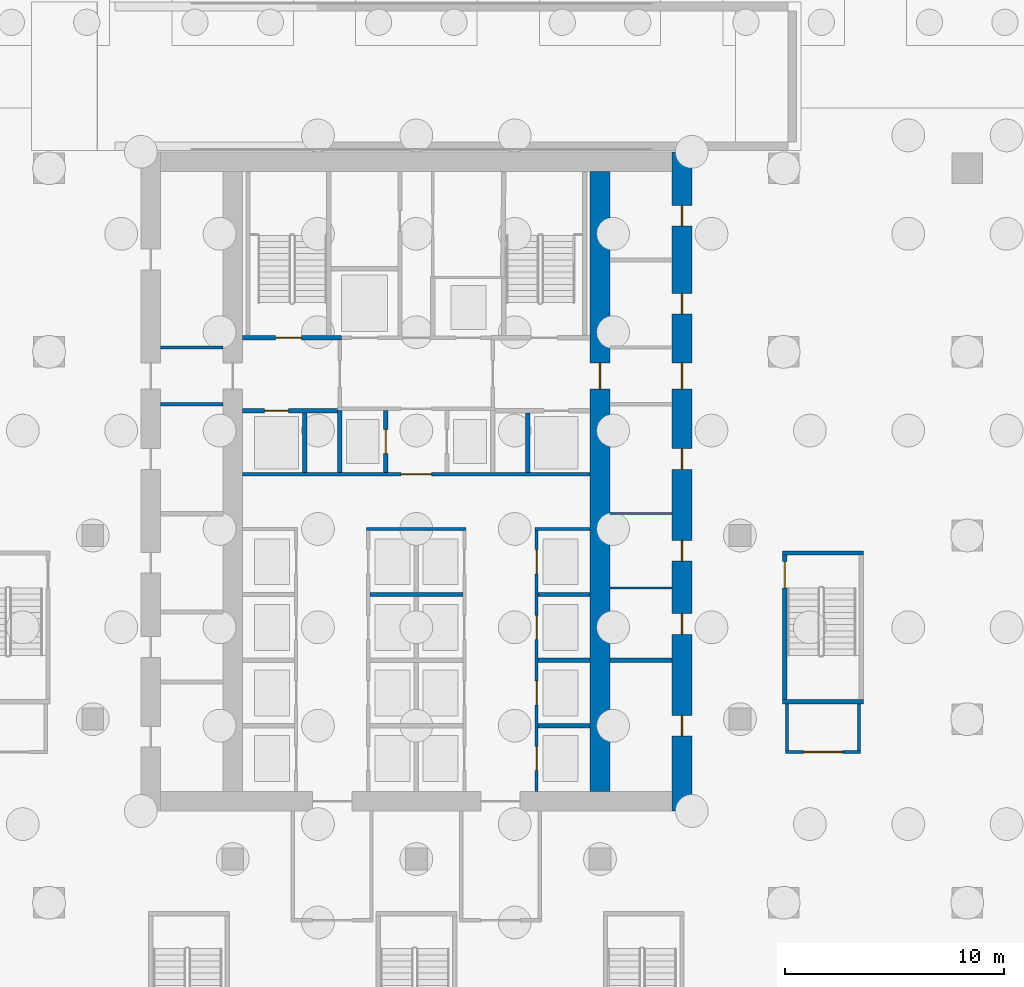
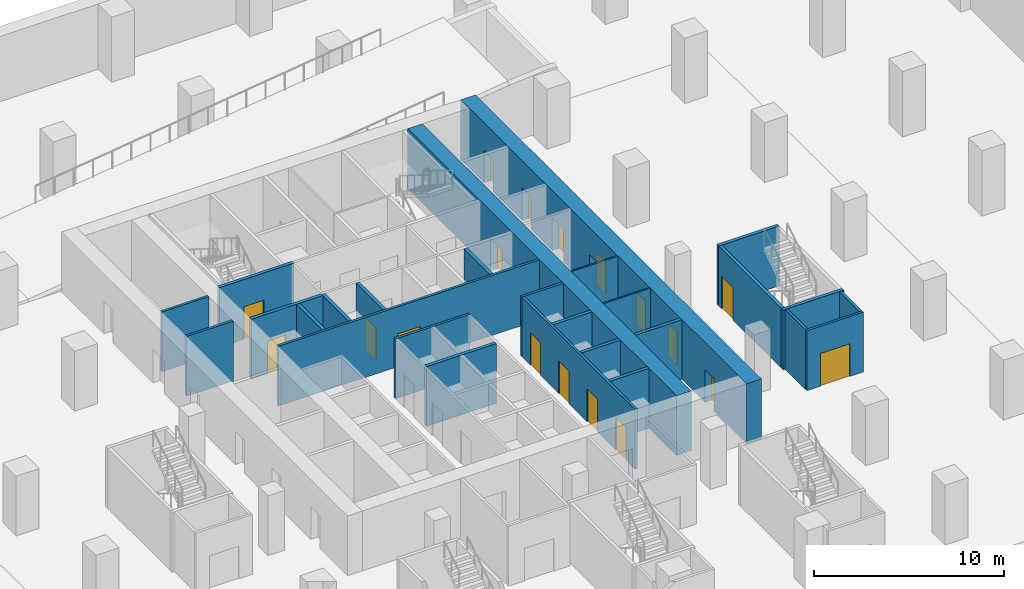
# One storey, part 11 of 22: 27 walls, 18 doors, 18 openings.
"""IFC4 building model written with IfcOpenShell, lengths in metres."""

from ifc_helpers import new_model, si_unit, direction, frame, frame_2d, origin, place, context, subcontext, project, spatial, rectangle, extrude, material, layer, layer_set, type_object, element, fill, save


model = new_model("IFC4")

# Units and contexts
model_context = context("Model", 3, precision=1e-05, world=origin(), true_north=direction((0.0, 1.0)))
body_context = subcontext(model_context, "Body", "Model", "MODEL_VIEW")
ifc_project = project(units=[si_unit("LENGTHUNIT", "METRE"), si_unit("AREAUNIT", "SQUARE_METRE"), si_unit("VOLUMEUNIT", "CUBIC_METRE"), si_unit("PLANEANGLEUNIT", "RADIAN"), si_unit("MASSUNIT", "GRAM", prefix="KILO")], contexts=[model_context])

# Site, building, storey
site_placement = place(None, origin())
site = spatial("IfcSite", under=ifc_project, at=site_placement, CompositionType="ELEMENT")
building_placement = place(site_placement, origin())
building = spatial("IfcBuilding", under=site, at=building_placement, Name="Vermilion Ogive Tower", CompositionType="ELEMENT")
storey_placement = place(building_placement, frame((0.0, 0.0, -8.39990234375)))
storey = spatial("IfcBuildingStorey", under=building, at=storey_placement, Name="B2", CompositionType="ELEMENT", Elevation=-8.39990234375)

# Wall, openings, doors
ifc_material_1 = material(Name="Concrete B80", Category="concrete")
ifc_layer_1 = layer(ifc_material_1, 0.89990234375)
ifc_layer_set_1 = layer_set([ifc_layer_1], Name="Core wall 900 B80")
wall_type_1 = type_object("IfcWallType", Name="Core wall 900 B80", PredefinedType="SHEAR", material=ifc_layer_set_1)
wall_1_placement = place(storey_placement, frame((12.14990234375, -8.39990234375, 0.0), z_axis=(0.0, 0.0, 1.0), x_axis=(0.0, 1.0, 0.0)))
wall_1 = element("IfcWall", 1, at=wall_1_placement, inside=storey, type_object=wall_type_1, Name="B2-CORE-E", PredefinedType="SHEAR", context=body_context, shape_type="SweptSolid", body=[
    extrude(rectangle(XDim=30.14990234375, YDim=0.89990234375, at=frame_2d((15.074951171875, 0.0))), origin(), (0.0, 0.0, 1.0), 3.849853515625),
])
opening_1_placement = place(wall_1_placement, frame((3.425048828125, 0.0, 0.0)))
opening_1 = element("IfcOpeningElement", 2, at=opening_1_placement, cuts=wall_1, Name="Opening DAU006", PredefinedType="OPENING", context=body_context, shape_type="SweptSolid", body=[
    extrude(rectangle(XDim=0.949951171875, YDim=2.10009765625, at=frame_2d((0.47509765625, 1.050048828125))), frame((0.0, 0.4599609375, 0.0), z_axis=(0.0, -1.0, 0.0), x_axis=(1.0, 0.0, 0.0)), (0.0, 0.0, 1.0), 0.919921875),
])
opening_2_placement = place(wall_1_placement, frame((8.074951171875, 0.0, 0.0)))
opening_2 = element("IfcOpeningElement", 3, at=opening_2_placement, cuts=wall_1, Name="Opening DAU007", PredefinedType="OPENING", context=body_context, shape_type="SweptSolid", body=[
    extrude(rectangle(XDim=0.949951171875, YDim=2.10009765625, at=frame_2d((0.47509765625, 1.050048828125))), frame((0.0, 0.4599609375, 0.0), z_axis=(0.0, -1.0, 0.0), x_axis=(1.0, 0.0, 0.0)), (0.0, 0.0, 1.0), 0.919921875),
])
opening_3_placement = place(wall_1_placement, frame((11.425048828125, 0.0, 0.0)))
opening_3 = element("IfcOpeningElement", 4, at=opening_3_placement, cuts=wall_1, Name="Opening DAU008", PredefinedType="OPENING", context=body_context, shape_type="SweptSolid", body=[
    extrude(rectangle(XDim=0.949951171875, YDim=2.10009765625, at=frame_2d((0.47509765625, 1.050048828125))), frame((0.0, 0.4599609375, 0.0), z_axis=(0.0, -1.0, 0.0), x_axis=(1.0, 0.0, 0.0)), (0.0, 0.0, 1.0), 0.919921875),
])
opening_4_placement = place(wall_1_placement, frame((15.625, 0.0, 0.0)))
opening_4 = element("IfcOpeningElement", 5, at=opening_4_placement, cuts=wall_1, Name="Opening DAU009", PredefinedType="OPENING", context=body_context, shape_type="SweptSolid", body=[
    extrude(rectangle(XDim=0.949951171875, YDim=2.10009765625, at=frame_2d((0.47509765625, 1.050048828125))), frame((0.0, 0.4599609375, 0.0), z_axis=(0.0, -1.0, 0.0), x_axis=(1.0, 0.0, 0.0)), (0.0, 0.0, 1.0), 0.919921875),
])
opening_5_placement = place(wall_1_placement, frame((22.72509765625, 0.0, 0.0)))
opening_5 = element("IfcOpeningElement", 6, at=opening_5_placement, cuts=wall_1, Name="Opening DAU010", PredefinedType="OPENING", context=body_context, shape_type="SweptSolid", body=[
    extrude(rectangle(XDim=0.949951171875, YDim=2.10009765625, at=frame_2d((0.47509765625, 1.050048828125))), frame((0.0, 0.4599609375, 0.0), z_axis=(0.0, -1.0, 0.0), x_axis=(1.0, 0.0, 0.0)), (0.0, 0.0, 1.0), 0.919921875),
])
opening_6_placement = place(wall_1_placement, frame((26.75, 0.0, 0.0)))
opening_6 = element("IfcOpeningElement", 7, at=opening_6_placement, cuts=wall_1, Name="Opening DAU011", PredefinedType="OPENING", context=body_context, shape_type="SweptSolid", body=[
    extrude(rectangle(XDim=0.949951171875, YDim=2.10009765625, at=frame_2d((0.47509765625, 1.050048828125))), frame((0.0, 0.4599609375, 0.0), z_axis=(0.0, -1.0, 0.0), x_axis=(1.0, 0.0, 0.0)), (0.0, 0.0, 1.0), 0.919921875),
])
opening_7_placement = place(wall_1_placement, frame((19.300048828125, 0.0, 0.0)))
opening_7 = element("IfcOpeningElement", 8, at=opening_7_placement, cuts=wall_1, Name="Opening DBN002", PredefinedType="OPENING", context=body_context, shape_type="SweptSolid", body=[
    extrude(rectangle(XDim=1.199951171875, YDim=2.10009765625, at=frame_2d((0.60009765625, 1.050048828125))), frame((0.0, 0.4599609375, 0.0), z_axis=(0.0, -1.0, 0.0), x_axis=(1.0, 0.0, 0.0)), (0.0, 0.0, 1.0), 0.919921875),
])
ifc_material_2 = material(Name="Timber door leaf", Category="wood")
door_type_1 = type_object("IfcDoorType", Name="Link door 1200 x 2100 FD60S", OperationType="SINGLE_SWING_LEFT", PredefinedType="DOOR", material=ifc_material_2)
door_1_placement = place(opening_7_placement, origin())
door_1 = element("IfcDoor", 9, at=door_1_placement, inside=storey, type_object=door_type_1, Name="B2-CKE-XL", OperationType="SINGLE_SWING_LEFT", OverallHeight=2.10009765625, OverallWidth=1.199951171875, PredefinedType="DOOR", context=body_context, shape_type="SweptSolid", body=[
    extrude(rectangle(XDim=1.199951171875, YDim=2.10009765625, at=frame_2d((0.60009765625, 1.050048828125))), frame((0.0, 0.02490234375, 0.0), z_axis=(0.0, -1.0, 0.0), x_axis=(1.0, 0.0, 0.0)), (0.0, 0.0, 1.0), 0.050048828125),
])
fill(opening_7, door_1)
ifc_material_3 = material(Name="Timber door leaf", Category="wood")
door_type_2 = type_object("IfcDoorType", Name="Service door 950 x 2100 FD60", OperationType="SINGLE_SWING_LEFT", PredefinedType="DOOR", material=ifc_material_3)
door_2_placement = place(opening_1_placement, origin())
door_2 = element("IfcDoor", 10, at=door_2_placement, inside=storey, type_object=door_type_2, Name="B2-CKE-XR0", OperationType="SINGLE_SWING_LEFT", OverallHeight=2.10009765625, OverallWidth=0.949951171875, PredefinedType="DOOR", context=body_context, shape_type="SweptSolid", body=[
    extrude(rectangle(XDim=0.949951171875, YDim=2.10009765625, at=frame_2d((0.47509765625, 1.050048828125))), frame((0.0, 0.02490234375, 0.0), z_axis=(0.0, -1.0, 0.0), x_axis=(1.0, 0.0, 0.0)), (0.0, 0.0, 1.0), 0.050048828125),
])
fill(opening_1, door_2)
door_3_placement = place(opening_2_placement, origin())
door_3 = element("IfcDoor", 11, at=door_3_placement, inside=storey, type_object=door_type_2, Name="B2-CKE-XR1", OperationType="SINGLE_SWING_LEFT", OverallHeight=2.10009765625, OverallWidth=0.949951171875, PredefinedType="DOOR", context=body_context, shape_type="SweptSolid", body=[
    extrude(rectangle(XDim=0.949951171875, YDim=2.10009765625, at=frame_2d((0.47509765625, 1.050048828125))), frame((0.0, 0.02490234375, 0.0), z_axis=(0.0, -1.0, 0.0), x_axis=(1.0, 0.0, 0.0)), (0.0, 0.0, 1.0), 0.050048828125),
])
fill(opening_2, door_3)
door_4_placement = place(opening_3_placement, origin())
door_4 = element("IfcDoor", 12, at=door_4_placement, inside=storey, type_object=door_type_2, Name="B2-CKE-XR2", OperationType="SINGLE_SWING_LEFT", OverallHeight=2.10009765625, OverallWidth=0.949951171875, PredefinedType="DOOR", context=body_context, shape_type="SweptSolid", body=[
    extrude(rectangle(XDim=0.949951171875, YDim=2.10009765625, at=frame_2d((0.47509765625, 1.050048828125))), frame((0.0, 0.02490234375, 0.0), z_axis=(0.0, -1.0, 0.0), x_axis=(1.0, 0.0, 0.0)), (0.0, 0.0, 1.0), 0.050048828125),
])
fill(opening_3, door_4)
door_5_placement = place(opening_4_placement, origin())
door_5 = element("IfcDoor", 13, at=door_5_placement, inside=storey, type_object=door_type_2, Name="B2-CKE-XR3", OperationType="SINGLE_SWING_LEFT", OverallHeight=2.10009765625, OverallWidth=0.949951171875, PredefinedType="DOOR", context=body_context, shape_type="SweptSolid", body=[
    extrude(rectangle(XDim=0.949951171875, YDim=2.10009765625, at=frame_2d((0.47509765625, 1.050048828125))), frame((0.0, 0.02490234375, 0.0), z_axis=(0.0, -1.0, 0.0), x_axis=(1.0, 0.0, 0.0)), (0.0, 0.0, 1.0), 0.050048828125),
])
fill(opening_4, door_5)
door_6_placement = place(opening_5_placement, origin())
door_6 = element("IfcDoor", 14, at=door_6_placement, inside=storey, type_object=door_type_2, Name="B2-CKE-XR4", OperationType="SINGLE_SWING_LEFT", OverallHeight=2.10009765625, OverallWidth=0.949951171875, PredefinedType="DOOR", context=body_context, shape_type="SweptSolid", body=[
    extrude(rectangle(XDim=0.949951171875, YDim=2.10009765625, at=frame_2d((0.47509765625, 1.050048828125))), frame((0.0, 0.02490234375, 0.0), z_axis=(0.0, -1.0, 0.0), x_axis=(1.0, 0.0, 0.0)), (0.0, 0.0, 1.0), 0.050048828125),
])
fill(opening_5, door_6)
door_7_placement = place(opening_6_placement, origin())
door_7 = element("IfcDoor", 15, at=door_7_placement, inside=storey, type_object=door_type_2, Name="B2-CKE-XR5", OperationType="SINGLE_SWING_LEFT", OverallHeight=2.10009765625, OverallWidth=0.949951171875, PredefinedType="DOOR", context=body_context, shape_type="SweptSolid", body=[
    extrude(rectangle(XDim=0.949951171875, YDim=2.10009765625, at=frame_2d((0.47509765625, 1.050048828125))), frame((0.0, 0.02490234375, 0.0), z_axis=(0.0, -1.0, 0.0), x_axis=(1.0, 0.0, 0.0)), (0.0, 0.0, 1.0), 0.050048828125),
])
fill(opening_6, door_7)

# Wall, opening, door
wall_2_placement = place(storey_placement, frame((8.39990234375, -7.5, 0.0), z_axis=(0.0, 0.0, 1.0), x_axis=(0.0, 1.0, 0.0)))
wall_2 = element("IfcWall", 16, at=wall_2_placement, inside=storey, type_object=wall_type_1, Name="B2-CORE-WEB2", PredefinedType="SHEAR", context=body_context, shape_type="SweptSolid", body=[
    extrude(rectangle(XDim=28.35009765625, YDim=0.89990234375, at=frame_2d((14.175048828125, 0.0))), origin(), (0.0, 0.0, 1.0), 3.849853515625),
])
opening_8_placement = place(wall_2_placement, frame((18.39990234375, 0.0, 0.0)))
opening_8 = element("IfcOpeningElement", 17, at=opening_8_placement, cuts=wall_2, Name="Opening DBP002", PredefinedType="OPENING", context=body_context, shape_type="SweptSolid", body=[
    extrude(rectangle(XDim=1.199951171875, YDim=2.10009765625, at=frame_2d((0.60009765625, 1.050048828125))), frame((0.0, 0.4599609375, 0.0), z_axis=(0.0, -1.0, 0.0), x_axis=(1.0, 0.0, 0.0)), (0.0, 0.0, 1.0), 0.919921875),
])
door_8_placement = place(opening_8_placement, origin())
door_8 = element("IfcDoor", 18, at=door_8_placement, inside=storey, type_object=door_type_1, Name="B2-CKE-XW", OperationType="SINGLE_SWING_LEFT", OverallHeight=2.10009765625, OverallWidth=1.199951171875, PredefinedType="DOOR", context=body_context, shape_type="SweptSolid", body=[
    extrude(rectangle(XDim=1.199951171875, YDim=2.10009765625, at=frame_2d((0.60009765625, 1.050048828125))), frame((0.0, 0.02490234375, 0.0), z_axis=(0.0, -1.0, 0.0), x_axis=(1.0, 0.0, 0.0)), (0.0, 0.0, 1.0), 0.050048828125),
])
fill(opening_8, door_8)

# Walls
ifc_material_4 = material(Name="Gypsum board partition on steel studs", Category="steel")
ifc_layer_2 = layer(ifc_material_4, 0.10009765625)
ifc_layer_set_2 = layer_set([ifc_layer_2], Name="Partition 100 bath")
wall_type_2 = type_object("IfcWallType", Name="Partition 100 bath", PredefinedType="PARTITIONING", material=ifc_layer_set_2)
for number, where, z_axis, x_axis, name in (
    (19, (8.85107421875, 1.800048828125, 0.0), (0.0, 0.0, 1.0), (1.0, 0.0, 0.0), "B2-CKE-W-W002"),
    (20, (8.85107421875, 5.199951171875, 0.0), (0.0, 0.0, 1.0), (1.0, 0.0, 0.0), "B2-CKE-W-W003"),
):
    element("IfcWall", number, at=place(storey_placement, frame(where, z_axis=z_axis, x_axis=x_axis)), inside=storey, type_object=wall_type_2, Name=name, PredefinedType="PARTITIONING", context=body_context, shape_type="SweptSolid", body=[
        extrude(rectangle(XDim=2.847900390625, YDim=0.10009765625, at=frame_2d((1.423828125, 0.0))), origin(), (0.0, 0.0, 1.0), 3.849853515625),
    ])

# Wall, opening, door
ifc_material_5 = material(Name="Gypsum board partition on steel studs", Category="steel")
ifc_layer_3 = layer(ifc_material_5, 0.14990234375)
ifc_layer_set_3 = layer_set([ifc_layer_3], Name="Partition 150 corridor")
wall_type_3 = type_object("IfcWallType", Name="Partition 150 corridor", PredefinedType="PARTITIONING", material=ifc_layer_set_3)
wall_3_placement = place(storey_placement, frame((16.875, -5.699951171875, 0.0), z_axis=(0.0, 0.0, 1.0), x_axis=(1.0, 0.0, 0.0)))
wall_3 = element("IfcWall", 21, at=wall_3_placement, inside=storey, type_object=wall_type_3, Name="B2-PK-W-W018", PredefinedType="PARTITIONING", context=body_context, shape_type="SweptSolid", body=[
    extrude(rectangle(XDim=3.449951171875, YDim=0.14990234375, at=frame_2d((1.72509765625, 0.0))), origin(), (0.0, 0.0, 1.0), 3.849853515625),
])
opening_9_placement = place(wall_3_placement, frame((0.824951171875, 0.0, 0.0)))
opening_9 = element("IfcOpeningElement", 22, at=opening_9_placement, cuts=wall_3, Name="Opening PK2-06", PredefinedType="OPENING", context=body_context, shape_type="SweptSolid", body=[
    extrude(rectangle(XDim=1.800048828125, YDim=2.10009765625, at=frame_2d((0.89990234375, 1.050048828125))), frame((0.0, 0.0849609375, 0.0), z_axis=(0.0, -1.0, 0.0), x_axis=(1.0, 0.0, 0.0)), (0.0, 0.0, 1.0), 0.169921875),
])
ifc_material_6 = material(Name="Timber door leaf", Category="wood")
door_type_3 = type_object("IfcDoorType", Name="Lobby door 1800 x 2100 FD60S", OperationType="DOUBLE_DOOR_SINGLE_SWING", PredefinedType="DOOR", material=ifc_material_6)
door_9_placement = place(opening_9_placement, origin())
door_9 = element("IfcDoor", 23, at=door_9_placement, inside=storey, type_object=door_type_3, Name="B2-PK-D-D006", OperationType="DOUBLE_DOOR_SINGLE_SWING", OverallHeight=2.10009765625, OverallWidth=1.800048828125, PredefinedType="DOOR", context=body_context, shape_type="SweptSolid", body=[
    extrude(rectangle(XDim=1.800048828125, YDim=2.10009765625, at=frame_2d((0.89990234375, 1.050048828125))), frame((0.0, 0.02490234375, 0.0), z_axis=(0.0, -1.0, 0.0), x_axis=(1.0, 0.0, 0.0)), (0.0, 0.0, 1.0), 0.050048828125),
])
fill(opening_9, door_9)

# Walls
for number, where, z_axis, x_axis, name in (
    (24, (16.949951171875, -5.625, 0.0), (0.0, 0.0, 1.0), (0.0, 1.0, 0.0), "B2-PK-W-W049"),
    (25, (20.25, -5.625, 0.0), (0.0, 0.0, 1.0), (0.0, 1.0, 0.0), "B2-PK-W-W050"),
):
    element("IfcWall", number, at=place(storey_placement, frame(where, z_axis=z_axis, x_axis=x_axis)), inside=storey, type_object=wall_type_3, Name=name, PredefinedType="PARTITIONING", context=body_context, shape_type="SweptSolid", body=[
        extrude(rectangle(XDim=2.125, YDim=0.14990234375, at=frame_2d((1.0625, 0.0))), origin(), (0.0, 0.0, 1.0), 3.849853515625),
    ])
wall_4_placement = place(storey_placement, frame((-2.27490234375, 4.5, 0.0), z_axis=(0.0, 0.0, 1.0), x_axis=(1.0, 0.0, 0.0)))
element("IfcWall", 26, at=wall_4_placement, inside=storey, type_object=wall_type_3, Name="B2-CK-W-W011", PredefinedType="PARTITIONING", context=body_context, shape_type="SweptSolid", body=[
    extrude(rectangle(XDim=4.5498046875, YDim=0.14990234375, at=frame_2d((2.27490234375, 0.0))), origin(), (0.0, 0.0, 1.0), 3.849853515625),
])
wall_5_placement = place(storey_placement, frame((5.425048828125, 4.5, 0.0), z_axis=(0.0, 0.0, 1.0), x_axis=(1.0, 0.0, 0.0)))
element("IfcWall", 27, at=wall_5_placement, inside=storey, type_object=wall_type_3, Name="B2-CK-W-W012", PredefinedType="PARTITIONING", context=body_context, shape_type="SweptSolid", body=[
    extrude(rectangle(XDim=2.52392578125, YDim=0.14990234375, at=frame_2d((1.261962890625, 0.0))), origin(), (0.0, 0.0, 1.0), 3.849853515625),
])

# Wall, opening, door
wall_6_placement = place(storey_placement, frame((-7.948974609375, 7.0, 0.0), z_axis=(0.0, 0.0, 1.0), x_axis=(1.0, 0.0, 0.0)))
wall_6 = element("IfcWall", 28, at=wall_6_placement, inside=storey, type_object=wall_type_3, Name="B2-CK-W-W013", PredefinedType="PARTITIONING", context=body_context, shape_type="SweptSolid", body=[
    extrude(rectangle(XDim=15.89794921875, YDim=0.14990234375, at=frame_2d((7.948974609375, 0.0))), origin(), (0.0, 0.0, 1.0), 3.849853515625),
])
opening_10_placement = place(wall_6_placement, frame((7.2490234375, 0.0, 0.0)))
opening_10 = element("IfcOpeningElement", 29, at=opening_10_placement, cuts=wall_6, Name="Opening DAG032", PredefinedType="OPENING", context=body_context, shape_type="SweptSolid", body=[
    extrude(rectangle(XDim=1.39990234375, YDim=2.10009765625, at=frame_2d((0.699951171875, 1.050048828125))), frame((0.0, 0.0849609375, 0.0), z_axis=(0.0, -1.0, 0.0), x_axis=(1.0, 0.0, 0.0)), (0.0, 0.0, 1.0), 0.169921875),
])
ifc_material_7 = material(Name="Timber door leaf", Category="wood")
door_type_4 = type_object("IfcDoorType", Name="Lobby door 1400 x 2100 FD60S", OperationType="SINGLE_SWING_LEFT", PredefinedType="DOOR", material=ifc_material_7)
door_10_placement = place(opening_10_placement, origin())
door_10 = element("IfcDoor", 30, at=door_10_placement, inside=storey, type_object=door_type_4, Name="B2-CK-D-D021", OperationType="SINGLE_SWING_RIGHT", OverallHeight=2.10009765625, OverallWidth=1.39990234375, PredefinedType="DOOR", context=body_context, shape_type="SweptSolid", body=[
    extrude(rectangle(XDim=1.39990234375, YDim=2.10009765625, at=frame_2d((0.699951171875, 1.050048828125))), frame((0.0, 0.02490234375, 0.0), z_axis=(0.0, -1.0, 0.0), x_axis=(1.0, 0.0, 0.0)), (0.0, 0.0, 1.0), 0.050048828125),
])
fill(opening_10, door_10)

# Wall, openings, doors
wall_7_placement = place(storey_placement, frame((5.5, -7.4990234375, 0.0), z_axis=(0.0, 0.0, 1.0), x_axis=(0.0, 1.0, 0.0)))
wall_7 = element("IfcWall", 31, at=wall_7_placement, inside=storey, type_object=wall_type_3, Name="B2-CK-W-W040", PredefinedType="PARTITIONING", context=body_context, shape_type="SweptSolid", body=[
    extrude(rectangle(XDim=11.924072265625, YDim=0.14990234375, at=frame_2d((5.9619140625, 0.0))), origin(), (0.0, 0.0, 1.0), 3.849853515625),
])
opening_11_placement = place(wall_7_placement, frame((0.948974609375, 0.0, 0.0)))
opening_11 = element("IfcOpeningElement", 32, at=opening_11_placement, cuts=wall_7, Name="Opening DAG043", PredefinedType="OPENING", context=body_context, shape_type="SweptSolid", body=[
    extrude(rectangle(XDim=1.10009765625, YDim=2.10009765625, at=frame_2d((0.550048828125, 1.050048828125))), frame((0.0, 0.0849609375, 0.0), z_axis=(0.0, -1.0, 0.0), x_axis=(1.0, 0.0, 0.0)), (0.0, 0.0, 1.0), 0.169921875),
])
opening_12_placement = place(wall_7_placement, frame((3.948974609375, 0.0, 0.0)))
opening_12 = element("IfcOpeningElement", 33, at=opening_12_placement, cuts=wall_7, Name="Opening DAG044", PredefinedType="OPENING", context=body_context, shape_type="SweptSolid", body=[
    extrude(rectangle(XDim=1.10009765625, YDim=2.10009765625, at=frame_2d((0.550048828125, 1.050048828125))), frame((0.0, 0.0849609375, 0.0), z_axis=(0.0, -1.0, 0.0), x_axis=(1.0, 0.0, 0.0)), (0.0, 0.0, 1.0), 0.169921875),
])
opening_13_placement = place(wall_7_placement, frame((6.948974609375, 0.0, 0.0)))
opening_13 = element("IfcOpeningElement", 34, at=opening_13_placement, cuts=wall_7, Name="Opening DAG045", PredefinedType="OPENING", context=body_context, shape_type="SweptSolid", body=[
    extrude(rectangle(XDim=1.10009765625, YDim=2.10009765625, at=frame_2d((0.550048828125, 1.050048828125))), frame((0.0, 0.0849609375, 0.0), z_axis=(0.0, -1.0, 0.0), x_axis=(1.0, 0.0, 0.0)), (0.0, 0.0, 1.0), 0.169921875),
])
opening_14_placement = place(wall_7_placement, frame((9.948974609375, 0.0, 0.0)))
opening_14 = element("IfcOpeningElement", 35, at=opening_14_placement, cuts=wall_7, Name="Opening DAG046", PredefinedType="OPENING", context=body_context, shape_type="SweptSolid", body=[
    extrude(rectangle(XDim=1.10009765625, YDim=2.10009765625, at=frame_2d((0.550048828125, 1.050048828125))), frame((0.0, 0.0849609375, 0.0), z_axis=(0.0, -1.0, 0.0), x_axis=(1.0, 0.0, 0.0)), (0.0, 0.0, 1.0), 0.169921875),
])
ifc_material_8 = material(Name="Stainless steel", Category="steel")
door_type_5 = type_object("IfcDoorType", Name="Lift landing door 1100 x 2100", OperationType="SLIDING_TO_LEFT", PredefinedType="DOOR", material=ifc_material_8)
door_11_placement = place(opening_11_placement, origin())
door_11 = element("IfcDoor", 36, at=door_11_placement, inside=storey, type_object=door_type_5, Name="B2-CK-D-D013", OperationType="SLIDING_TO_RIGHT", OverallHeight=2.10009765625, OverallWidth=1.10009765625, PredefinedType="DOOR", context=body_context, shape_type="SweptSolid", body=[
    extrude(rectangle(XDim=1.10009765625, YDim=2.10009765625, at=frame_2d((0.550048828125, 1.050048828125))), frame((0.0, 0.02490234375, 0.0), z_axis=(0.0, -1.0, 0.0), x_axis=(1.0, 0.0, 0.0)), (0.0, 0.0, 1.0), 0.050048828125),
])
fill(opening_11, door_11)
door_12_placement = place(opening_12_placement, origin())
door_12 = element("IfcDoor", 37, at=door_12_placement, inside=storey, type_object=door_type_5, Name="B2-CK-D-D014", OperationType="SLIDING_TO_RIGHT", OverallHeight=2.10009765625, OverallWidth=1.10009765625, PredefinedType="DOOR", context=body_context, shape_type="SweptSolid", body=[
    extrude(rectangle(XDim=1.10009765625, YDim=2.10009765625, at=frame_2d((0.550048828125, 1.050048828125))), frame((0.0, 0.02490234375, 0.0), z_axis=(0.0, -1.0, 0.0), x_axis=(1.0, 0.0, 0.0)), (0.0, 0.0, 1.0), 0.050048828125),
])
fill(opening_12, door_12)
door_13_placement = place(opening_13_placement, origin())
door_13 = element("IfcDoor", 38, at=door_13_placement, inside=storey, type_object=door_type_5, Name="B2-CK-D-D015", OperationType="SLIDING_TO_RIGHT", OverallHeight=2.10009765625, OverallWidth=1.10009765625, PredefinedType="DOOR", context=body_context, shape_type="SweptSolid", body=[
    extrude(rectangle(XDim=1.10009765625, YDim=2.10009765625, at=frame_2d((0.550048828125, 1.050048828125))), frame((0.0, 0.02490234375, 0.0), z_axis=(0.0, -1.0, 0.0), x_axis=(1.0, 0.0, 0.0)), (0.0, 0.0, 1.0), 0.050048828125),
])
fill(opening_13, door_13)
door_14_placement = place(opening_14_placement, origin())
door_14 = element("IfcDoor", 39, at=door_14_placement, inside=storey, type_object=door_type_5, Name="B2-CK-D-D016", OperationType="SLIDING_TO_RIGHT", OverallHeight=2.10009765625, OverallWidth=1.10009765625, PredefinedType="DOOR", context=body_context, shape_type="SweptSolid", body=[
    extrude(rectangle(XDim=1.10009765625, YDim=2.10009765625, at=frame_2d((0.550048828125, 1.050048828125))), frame((0.0, 0.02490234375, 0.0), z_axis=(0.0, -1.0, 0.0), x_axis=(1.0, 0.0, 0.0)), (0.0, 0.0, 1.0), 0.050048828125),
])
fill(opening_14, door_14)

# Walls
for number, where, z_axis, x_axis, name in (
    (40, (-11.698974609375, 10.199951171875, 0.0), (0.0, 0.0, 1.0), (1.0, 0.0, 0.0), "B2-CKW-W-W004"),
    (41, (-11.698974609375, 12.800048828125, 0.0), (0.0, 0.0, 1.0), (1.0, 0.0, 0.0), "B2-CKW-W-W005"),
):
    element("IfcWall", number, at=place(storey_placement, frame(where, z_axis=z_axis, x_axis=x_axis)), inside=storey, type_object=wall_type_3, Name=name, PredefinedType="PARTITIONING", context=body_context, shape_type="SweptSolid", body=[
        extrude(rectangle(XDim=2.847900390625, YDim=0.14990234375, at=frame_2d((1.423828125, 0.0))), origin(), (0.0, 0.0, 1.0), 3.849853515625),
    ])
ifc_material_9 = material(Name="Gypsum board partition on steel studs", Category="steel")
ifc_layer_4 = layer(ifc_material_9, 0.199951171875)
ifc_layer_set_4 = layer_set([ifc_layer_4], Name="Partition 200 party")
wall_type_4 = type_object("IfcWallType", Name="Partition 200 party", PredefinedType="PARTITIONING", material=ifc_layer_set_4)
for number, where, z_axis, x_axis, name in (
    (42, (5.574951171875, -4.5, 0.0), (0.0, 0.0, 1.0), (1.0, 0.0, 0.0), "B2-CK-W-W003"),
    (43, (5.574951171875, -1.5, 0.0), (0.0, 0.0, 1.0), (1.0, 0.0, 0.0), "B2-CK-W-W006"),
):
    element("IfcWall", number, at=place(storey_placement, frame(where, z_axis=z_axis, x_axis=x_axis)), inside=storey, type_object=wall_type_4, Name=name, PredefinedType="PARTITIONING", context=body_context, shape_type="SweptSolid", body=[
        extrude(rectangle(XDim=2.3740234375, YDim=0.199951171875, at=frame_2d((1.18701171875, 0.0))), origin(), (0.0, 0.0, 1.0), 3.849853515625),
    ])
wall_8_placement = place(storey_placement, frame((-2.125, 1.5, 0.0), z_axis=(0.0, 0.0, 1.0), x_axis=(1.0, 0.0, 0.0)))
element("IfcWall", 44, at=wall_8_placement, inside=storey, type_object=wall_type_4, Name="B2-CK-W-W008", PredefinedType="PARTITIONING", context=body_context, shape_type="SweptSolid", body=[
    extrude(rectangle(XDim=4.25, YDim=0.199951171875, at=frame_2d((2.125, 0.0))), origin(), (0.0, 0.0, 1.0), 3.849853515625),
])
wall_9_placement = place(storey_placement, frame((5.574951171875, 1.5, 0.0), z_axis=(0.0, 0.0, 1.0), x_axis=(1.0, 0.0, 0.0)))
element("IfcWall", 45, at=wall_9_placement, inside=storey, type_object=wall_type_4, Name="B2-CK-W-W009", PredefinedType="PARTITIONING", context=body_context, shape_type="SweptSolid", body=[
    extrude(rectangle(XDim=2.3740234375, YDim=0.199951171875, at=frame_2d((1.18701171875, 0.0))), origin(), (0.0, 0.0, 1.0), 3.849853515625),
])

# Wall, opening, door
wall_10_placement = place(storey_placement, frame((-7.948974609375, 9.89990234375, 0.0), z_axis=(0.0, 0.0, 1.0), x_axis=(1.0, 0.0, 0.0)))
wall_10 = element("IfcWall", 46, at=wall_10_placement, inside=storey, type_object=wall_type_4, Name="B2-CK-W-W014", PredefinedType="PARTITIONING", context=body_context, shape_type="SweptSolid", body=[
    extrude(rectangle(XDim=4.348876953125, YDim=0.199951171875, at=frame_2d((2.17431640625, 0.0))), origin(), (0.0, 0.0, 1.0), 3.849853515625),
])
opening_15_placement = place(wall_10_placement, frame((0.9990234375, 0.0, 0.0)))
opening_15 = element("IfcOpeningElement", 47, at=opening_15_placement, cuts=wall_10, Name="Opening DAG047", PredefinedType="OPENING", context=body_context, shape_type="SweptSolid", body=[
    extrude(rectangle(XDim=1.10009765625, YDim=2.10009765625, at=frame_2d((0.550048828125, 1.050048828125))), frame((0.0, 0.10986328125, 0.0), z_axis=(0.0, -1.0, 0.0), x_axis=(1.0, 0.0, 0.0)), (0.0, 0.0, 1.0), 0.219970703125),
])
door_15_placement = place(opening_15_placement, origin())
door_15 = element("IfcDoor", 48, at=door_15_placement, inside=storey, type_object=door_type_5, Name="B2-CK-D-D018", OperationType="SLIDING_TO_RIGHT", OverallHeight=2.10009765625, OverallWidth=1.10009765625, PredefinedType="DOOR", context=body_context, shape_type="SweptSolid", body=[
    extrude(rectangle(XDim=1.10009765625, YDim=2.10009765625, at=frame_2d((0.550048828125, 1.050048828125))), frame((0.0, 0.02490234375, 0.0), z_axis=(0.0, -1.0, 0.0), x_axis=(1.0, 0.0, 0.0)), (0.0, 0.0, 1.0), 0.050048828125),
])
fill(opening_15, door_15)

# Walls
wall_11_placement = place(storey_placement, frame((-5.10009765625, 7.074951171875, 0.0), z_axis=(0.0, 0.0, 1.0), x_axis=(0.0, 1.0, 0.0)))
element("IfcWall", 49, at=wall_11_placement, inside=storey, type_object=wall_type_4, Name="B2-CK-W-W023", PredefinedType="PARTITIONING", context=body_context, shape_type="SweptSolid", body=[
    extrude(rectangle(XDim=2.72509765625, YDim=0.199951171875, at=frame_2d((1.362548828125, 0.0))), origin(), (0.0, 0.0, 1.0), 3.849853515625),
])
wall_12_placement = place(storey_placement, frame((-3.5, 7.074951171875, 0.0), z_axis=(0.0, 0.0, 1.0), x_axis=(0.0, 1.0, 0.0)))
element("IfcWall", 50, at=wall_12_placement, inside=storey, type_object=wall_type_4, Name="B2-CK-W-W025", PredefinedType="PARTITIONING", context=body_context, shape_type="SweptSolid", body=[
    extrude(rectangle(XDim=2.85009765625, YDim=0.199951171875, at=frame_2d((1.425048828125, 0.0))), origin(), (0.0, 0.0, 1.0), 3.849853515625),
])

# Wall, opening, door
wall_13_placement = place(storey_placement, frame((-1.39990234375, 7.074951171875, 0.0), z_axis=(0.0, 0.0, 1.0), x_axis=(0.0, 1.0, 0.0)))
wall_13 = element("IfcWall", 51, at=wall_13_placement, inside=storey, type_object=wall_type_4, Name="B2-CK-W-W028", PredefinedType="PARTITIONING", context=body_context, shape_type="SweptSolid", body=[
    extrude(rectangle(XDim=2.85009765625, YDim=0.199951171875, at=frame_2d((1.425048828125, 0.0))), origin(), (0.0, 0.0, 1.0), 3.849853515625),
])
opening_16_placement = place(wall_13_placement, frame((0.875, 0.0, 0.0)))
opening_16 = element("IfcOpeningElement", 52, at=opening_16_placement, cuts=wall_13, Name="Opening DAG049", PredefinedType="OPENING", context=body_context, shape_type="SweptSolid", body=[
    extrude(rectangle(XDim=1.10009765625, YDim=2.10009765625, at=frame_2d((0.550048828125, 1.050048828125))), frame((0.0, 0.10986328125, 0.0), z_axis=(0.0, -1.0, 0.0), x_axis=(1.0, 0.0, 0.0)), (0.0, 0.0, 1.0), 0.219970703125),
])
door_16_placement = place(opening_16_placement, origin())
door_16 = element("IfcDoor", 53, at=door_16_placement, inside=storey, type_object=door_type_5, Name="B2-CK-D-D023", OperationType="SLIDING_TO_RIGHT", OverallHeight=2.10009765625, OverallWidth=1.10009765625, PredefinedType="DOOR", context=body_context, shape_type="SweptSolid", body=[
    extrude(rectangle(XDim=1.10009765625, YDim=2.10009765625, at=frame_2d((0.550048828125, 1.050048828125))), frame((0.0, 0.02490234375, 0.0), z_axis=(0.0, -1.0, 0.0), x_axis=(1.0, 0.0, 0.0)), (0.0, 0.0, 1.0), 0.050048828125),
])
fill(opening_16, door_16)

# Walls
wall_14_placement = place(storey_placement, frame((5.10009765625, 7.074951171875, 0.0), z_axis=(0.0, 0.0, 1.0), x_axis=(0.0, 1.0, 0.0)))
element("IfcWall", 54, at=wall_14_placement, inside=storey, type_object=wall_type_4, Name="B2-CK-W-W039", PredefinedType="PARTITIONING", context=body_context, shape_type="SweptSolid", body=[
    extrude(rectangle(XDim=2.72509765625, YDim=0.199951171875, at=frame_2d((1.362548828125, 0.0))), origin(), (0.0, 0.0, 1.0), 3.849853515625),
])
wall_15_placement = place(storey_placement, frame((8.85107421875, -1.5, 0.0), z_axis=(0.0, 0.0, 1.0), x_axis=(1.0, 0.0, 0.0)))
element("IfcWall", 55, at=wall_15_placement, inside=storey, type_object=wall_type_4, Name="B2-CKE-W-W001", PredefinedType="PARTITIONING", context=body_context, shape_type="SweptSolid", body=[
    extrude(rectangle(XDim=2.847900390625, YDim=0.199951171875, at=frame_2d((1.423828125, 0.0))), origin(), (0.0, 0.0, 1.0), 3.849853515625),
])

# Wall, opening, door
ifc_material_10 = material(Name="Concrete B60", Category="concrete")
ifc_layer_5 = layer(ifc_material_10, 0.199951171875)
ifc_layer_set_5 = layer_set([ifc_layer_5], Name="Stair shaft wall 200 Concrete B60")
wall_type_5 = type_object("IfcWallType", Name="Stair shaft wall 200 Concrete B60", PredefinedType="SOLIDWALL", material=ifc_layer_set_5)
wall_16_placement = place(storey_placement, frame((-7.948974609375, 13.25, 0.0), z_axis=(0.0, 0.0, 1.0), x_axis=(1.0, 0.0, 0.0)))
wall_16 = element("IfcWall", 56, at=wall_16_placement, inside=storey, type_object=wall_type_5, Name="B2-CK-W-W017", PredefinedType="SOLIDWALL", context=body_context, shape_type="SweptSolid", body=[
    extrude(rectangle(XDim=4.52392578125, YDim=0.199951171875, at=frame_2d((2.261962890625, 0.0))), origin(), (0.0, 0.0, 1.0), 3.849853515625),
])
opening_17_placement = place(wall_16_placement, frame((1.4990234375, 0.0, 0.0)))
opening_17 = element("IfcOpeningElement", 57, at=opening_17_placement, cuts=wall_16, Name="Opening DAG037", PredefinedType="OPENING", context=body_context, shape_type="SweptSolid", body=[
    extrude(rectangle(XDim=1.199951171875, YDim=2.10009765625, at=frame_2d((0.60009765625, 1.050048828125))), frame((0.0, 0.10986328125, 0.0), z_axis=(0.0, -1.0, 0.0), x_axis=(1.0, 0.0, 0.0)), (0.0, 0.0, 1.0), 0.219970703125),
])
ifc_material_11 = material(Name="Timber door leaf", Category="wood")
door_type_6 = type_object("IfcDoorType", Name="Stair door 1200 x 2100 FD60S", OperationType="SINGLE_SWING_LEFT", PredefinedType="DOOR", material=ifc_material_11)
door_17_placement = place(opening_17_placement, origin())
door_17 = element("IfcDoor", 58, at=door_17_placement, inside=storey, type_object=door_type_6, Name="B2-CK-D-D017", OperationType="SINGLE_SWING_LEFT", OverallHeight=2.10009765625, OverallWidth=1.199951171875, PredefinedType="DOOR", context=body_context, shape_type="SweptSolid", body=[
    extrude(rectangle(XDim=1.199951171875, YDim=2.10009765625, at=frame_2d((0.60009765625, 1.050048828125))), frame((0.0, 0.02490234375, 0.0), z_axis=(0.0, -1.0, 0.0), x_axis=(1.0, 0.0, 0.0)), (0.0, 0.0, 1.0), 0.050048828125),
])
fill(opening_17, door_17)

# Walls
for number, where, z_axis, x_axis, name in (
    (59, (16.75, -3.39990234375, 0.0), (0.0, 0.0, 1.0), (1.0, 0.0, 0.0), "B2-SW-ST8-S1"),
    (60, (16.75, 3.39990234375, 0.0), (0.0, 0.0, 1.0), (1.0, 0.0, 0.0), "B2-SW-ST8-N1"),
):
    element("IfcWall", number, at=place(storey_placement, frame(where, z_axis=z_axis, x_axis=x_axis)), inside=storey, type_object=wall_type_5, Name=name, PredefinedType="SOLIDWALL", context=body_context, shape_type="SweptSolid", body=[
        extrude(rectangle(XDim=3.699951171875, YDim=0.199951171875, at=frame_2d((1.85009765625, 0.0))), origin(), (0.0, 0.0, 1.0), 3.849853515625),
    ])

# Wall, opening, door
wall_17_placement = place(storey_placement, frame((16.85009765625, -3.300048828125, 0.0), z_axis=(0.0, 0.0, 1.0), x_axis=(0.0, 1.0, 0.0)))
wall_17 = element("IfcWall", 61, at=wall_17_placement, inside=storey, type_object=wall_type_5, Name="B2-SW-ST8-W1", PredefinedType="SOLIDWALL", context=body_context, shape_type="SweptSolid", body=[
    extrude(rectangle(XDim=6.60009765625, YDim=0.199951171875, at=frame_2d((3.300048828125, 0.0))), origin(), (0.0, 0.0, 1.0), 3.849853515625),
])
opening_18_placement = place(wall_17_placement, frame((5.10009765625, 0.0, 0.0)))
opening_18 = element("IfcOpeningElement", 62, at=opening_18_placement, cuts=wall_17, Name="Opening DBI003", PredefinedType="OPENING", context=body_context, shape_type="SweptSolid", body=[
    extrude(rectangle(XDim=1.199951171875, YDim=2.10009765625, at=frame_2d((0.60009765625, 1.050048828125))), frame((0.0, 0.10986328125, 0.0), z_axis=(0.0, -1.0, 0.0), x_axis=(1.0, 0.0, 0.0)), (0.0, 0.0, 1.0), 0.219970703125),
])
door_18_placement = place(opening_18_placement, origin())
door_18 = element("IfcDoor", 63, at=door_18_placement, inside=storey, type_object=door_type_6, Name="B2-SD-ST8", OperationType="SINGLE_SWING_LEFT", OverallHeight=2.10009765625, OverallWidth=1.199951171875, PredefinedType="DOOR", context=body_context, shape_type="SweptSolid", body=[
    extrude(rectangle(XDim=1.199951171875, YDim=2.10009765625, at=frame_2d((0.60009765625, 1.050048828125))), frame((0.0, 0.02490234375, 0.0), z_axis=(0.0, -1.0, 0.0), x_axis=(1.0, 0.0, 0.0)), (0.0, 0.0, 1.0), 0.050048828125),
])
fill(opening_18, door_18)

save(model, "model.ifc")
